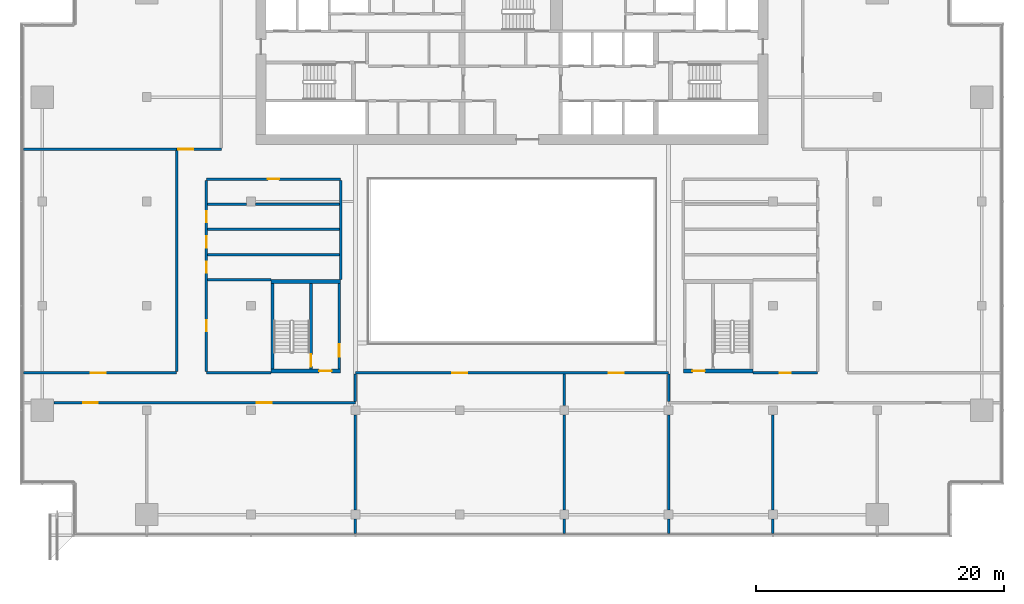
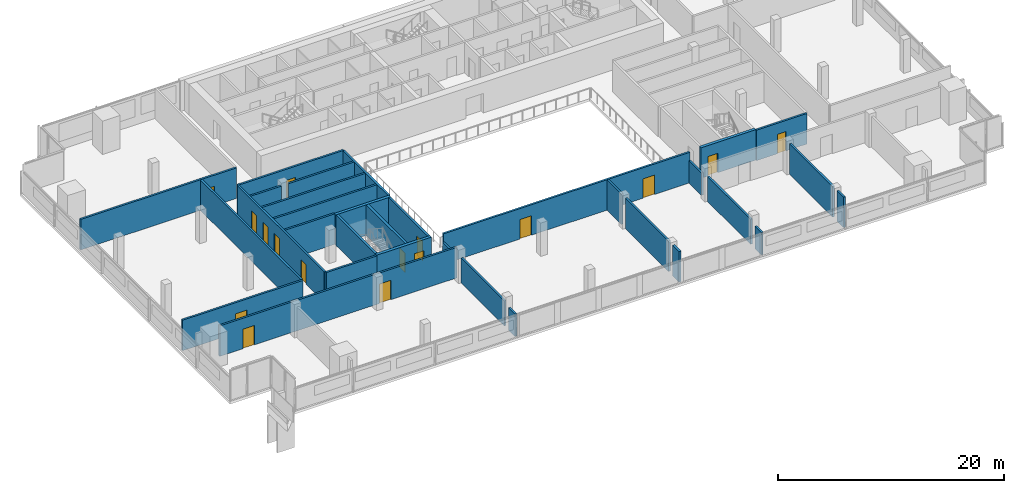
# One storey, part 17 of 24: 33 walls, 16 doors, 16 openings.
"""IFC4 building model written with IfcOpenShell, lengths in metres."""

import ifcopenshell
import ifcopenshell.guid

model = None  # the IFC model being written
_history = None  # IfcOwnerHistory: only IFC2X3 demands one
_inside = {}  # id of a spatial element -> (the spatial element, [elements in it])
_under = {}  # id of a project, library or spatial element -> (it, [spatial elements below it])
_declared = {}  # id of a project -> (the project, [libraries it declares])
_typed = {}  # id of a type object -> (the type object, [elements of that type])
_made_of = {}  # id of a material, layer set ... -> (it, [elements and type objects made of it])


def new_model(schema):
    """Start an empty IFC model of exactly this schema.

    Asked for "IFC4X3", IfcOpenShell would pick the latest addendum, in which some entities
    have other attributes; the version numbers below select the first issue.
    IFC2X3 requires an IfcOwnerHistory on every rooted entity: one is made here for all.
    """
    global model, _history
    if schema == "IFC4X3":
        model = ifcopenshell.file(schema_version=(4, 3, 0, 0))
    else:
        model = ifcopenshell.file(schema=schema)
    _inside.clear()
    _under.clear()
    _declared.clear()
    _typed.clear()
    _made_of.clear()
    _history = None
    if model.schema == "IFC2X3":
        org = make("IfcOrganization", Name="unknown")
        user = make(
            "IfcPersonAndOrganization",
            ThePerson=make("IfcPerson", FamilyName="unknown"),
            TheOrganization=org,
        )
        app = make(
            "IfcApplication",
            ApplicationDeveloper=org,
            Version="unknown",
            ApplicationFullName="unknown",
            ApplicationIdentifier="unknown",
        )
        _history = make(
            "IfcOwnerHistory",
            OwningUser=user,
            OwningApplication=app,
            ChangeAction="ADDED",
            CreationDate=0,
        )
    return model


def make(cls, **values):
    """One entity of the class cls with the attributes given. An attribute that is None is left unset."""
    return model.create_entity(
        cls, **{name: value for name, value in values.items() if value is not None}
    )


def rooted(cls, **values):
    """An entity with a GlobalId (a new one), such as an element, a storey or a relation."""
    return make(cls, GlobalId=ifcopenshell.guid.new(), OwnerHistory=_history, **values)


def si_unit(unit_type, name, prefix=None):
    """IfcSIUnit, for example si_unit("LENGTHUNIT", "METRE", prefix="MILLI")."""
    return make("IfcSIUnit", UnitType=unit_type, Prefix=prefix, Name=name)


def assignment(units):
    """IfcUnitAssignment: the units of a project."""
    return None if units is None else make("IfcUnitAssignment", Units=units)


def point(xyz):
    """IfcCartesianPoint."""
    return None if xyz is None else make("IfcCartesianPoint", Coordinates=xyz)


def direction(xyz):
    """IfcDirection."""
    return None if xyz is None else make("IfcDirection", DirectionRatios=xyz)


def frame(location, z_axis=None, x_axis=None):
    """IfcAxis2Placement3D, a coordinate frame: its origin and axes. An axis left out is left unset."""
    return make(
        "IfcAxis2Placement3D",
        Location=point(location),
        Axis=direction(z_axis),
        RefDirection=direction(x_axis),
    )


def frame_2d(location, x_axis=None):
    """IfcAxis2Placement2D, a coordinate frame in the plane: its origin and x axis."""
    return make(
        "IfcAxis2Placement2D", Location=point(location), RefDirection=direction(x_axis)
    )


def origin():
    """The frame at (0, 0, 0) with its axes left unset."""
    return frame((0.0, 0.0, 0.0))


def place(relative_to, where):
    """IfcLocalPlacement: puts the frame where relative to a parent placement (None: the world)."""
    return make(
        "IfcLocalPlacement", PlacementRelTo=relative_to, RelativePlacement=where
    )


def context(
    kind, dimensions, precision=None, world=None, true_north=None, identifier=None
):
    """IfcGeometricRepresentationContext, for example the 3D "Model" context."""
    return make(
        "IfcGeometricRepresentationContext",
        ContextIdentifier=identifier,
        ContextType=kind,
        CoordinateSpaceDimension=dimensions,
        Precision=precision,
        WorldCoordinateSystem=world,
        TrueNorth=true_north,
    )


def subcontext(parent, identifier, kind, view, scale=None):
    """IfcGeometricRepresentationSubContext, for example "Body" below "Model"."""
    return make(
        "IfcGeometricRepresentationSubContext",
        ContextIdentifier=identifier,
        ContextType=kind,
        ParentContext=parent,
        TargetScale=scale,
        TargetView=view,
    )


def project(units=None, contexts=None):
    """IfcProject with its units and contexts."""
    return rooted(
        "IfcProject",
        Name="project",
        RepresentationContexts=contexts,
        UnitsInContext=assignment(units),
    )


def spatial(cls, under=None, at=None, **own):
    """A site, building, storey or space (cls), placed at a placement, below another one or the project."""
    s = rooted(cls, ObjectPlacement=at, **own)
    if under is not None:
        _under.setdefault(under.id(), (under, []))[1].append(s)
    return s


def profile(cls, at=None, kind="AREA", **sizes):
    """A parametric profile (cls). Its sizes go by their IFC names, for example OverallWidth=200.0."""
    return make(cls, ProfileType=kind, Position=at, **sizes)


def rectangle(**sizes):
    """IfcRectangleProfileDef."""
    return profile("IfcRectangleProfileDef", **sizes)


def extrude(swept, where, along, depth):
    """IfcExtrudedAreaSolid: the profile swept, set in the frame where, extruded along a direction by depth."""
    return make(
        "IfcExtrudedAreaSolid",
        SweptArea=swept,
        Position=where,
        ExtrudedDirection=direction(along),
        Depth=depth,
    )


def shape(context_of_items, identifier, shape_type, items):
    """IfcShapeRepresentation: the items that make up one representation, for example the "Body"."""
    return make(
        "IfcShapeRepresentation",
        ContextOfItems=context_of_items,
        RepresentationIdentifier=identifier,
        RepresentationType=shape_type,
        Items=items,
    )


def material(Name=None, Category=None):
    """IfcMaterial."""
    return make("IfcMaterial", Name=Name, Category=Category)


def layer(
    of_material, thickness, ventilated=None, Name=None, Category=None, Priority=None
):
    """IfcMaterialLayer: one layer of a wall or slab, of a material (None: an air gap)."""
    return make(
        "IfcMaterialLayer",
        Material=of_material,
        LayerThickness=thickness,
        IsVentilated=ventilated,
        Name=Name,
        Category=Category,
        Priority=Priority,
    )


def layer_set(layers, Name=None):
    """IfcMaterialLayerSet."""
    return make("IfcMaterialLayerSet", MaterialLayers=layers, LayerSetName=Name)


def made_of(thing, what):
    """Note that an element or type object is made of a material, layer set ...; save() writes the relation."""
    if what is not None:
        _made_of.setdefault(what.id(), (what, []))[1].append(thing)
    return thing


def type_object(cls, material=None, **own):
    """A type object (cls), such as IfcWallType, which elements share."""
    return made_of(rooted(cls, **own), material)


def element(
    cls,
    number,
    at=None,
    inside=None,
    cuts=None,
    type_object=None,
    material=None,
    context=None,
    identifier="Body",
    shape_type=None,
    held_by="IfcProductDefinitionShape",
    body=None,
    shapes=None,
    **own,
):
    """One element of the class cls, such as IfcWall. Its Tag is "e" and its number.

    at: its placement. inside: the storey or other place that contains it. cuts: it is an
    opening in that element (IfcRelVoidsElement). A single representation is given by context,
    identifier, shape_type and body (its items); several are given by shapes. held_by: the class
    of the entity that holds the representations. save() writes the other relations.
    """
    e = rooted(cls, Tag="e%d" % number, ObjectPlacement=at, **own)
    if body is not None:
        shapes = [shape(context, identifier, shape_type, body)]
    if shapes is not None:
        e.Representation = make(held_by, Representations=shapes)
    if inside is not None:
        _inside.setdefault(inside.id(), (inside, []))[1].append(e)
    if cuts is not None:
        rooted(
            "IfcRelVoidsElement", RelatingBuildingElement=cuts, RelatedOpeningElement=e
        )
    if type_object is not None:
        _typed.setdefault(type_object.id(), (type_object, []))[1].append(e)
    return made_of(e, material)


def fill(opening, filler):
    """IfcRelFillsElement: the door or window that sits in an opening."""
    return rooted(
        "IfcRelFillsElement",
        RelatingOpeningElement=opening,
        RelatedBuildingElement=filler,
    )


def aggregate(whole, parts):
    """IfcRelAggregates: a whole, such as a stair, and the parts it consists of."""
    return rooted("IfcRelAggregates", RelatingObject=whole, RelatedObjects=parts)


def save(model, path):
    """Write the relations noted so far, then the file.

    IfcRelAggregates (storeys below a building ...), IfcRelContainedInSpatialStructure (elements
    in a storey), IfcRelDefinesByType, IfcRelAssociatesMaterial and IfcRelDeclares: one each for
    every whole, place, type object, material and project.
    """
    for whole, parts in _under.values():
        aggregate(whole, parts)
    for where, things in _inside.values():
        rooted(
            "IfcRelContainedInSpatialStructure",
            RelatedElements=things,
            RelatingStructure=where,
        )
    for kind, things in _typed.values():
        rooted("IfcRelDefinesByType", RelatedObjects=things, RelatingType=kind)
    for what, things in _made_of.values():
        rooted("IfcRelAssociatesMaterial", RelatedObjects=things, RelatingMaterial=what)
    for by, libraries in _declared.values():
        rooted("IfcRelDeclares", RelatingContext=by, RelatedDefinitions=libraries)
    model.write(path)


model = new_model("IFC4")

# Units and contexts
model_context = context("Model", 3, precision=1e-05, world=origin(), true_north=direction((0.0, 1.0)))
body_context = subcontext(model_context, "Body", "Model", "MODEL_VIEW")
ifc_project = project(units=[si_unit("LENGTHUNIT", "METRE"), si_unit("AREAUNIT", "SQUARE_METRE"), si_unit("VOLUMEUNIT", "CUBIC_METRE"), si_unit("PLANEANGLEUNIT", "RADIAN"), si_unit("MASSUNIT", "GRAM", prefix="KILO")], contexts=[model_context])

# Site, building, storey
site_placement = place(None, origin())
site = spatial("IfcSite", under=ifc_project, at=site_placement, CompositionType="ELEMENT")
building_placement = place(site_placement, origin())
building = spatial("IfcBuilding", under=site, at=building_placement, Name="Saffron Gate Tower", CompositionType="ELEMENT")
storey_placement = place(building_placement, frame((0.0, 0.0, 190.64990234375)))
storey = spatial("IfcBuildingStorey", under=building, at=storey_placement, Name="L47", CompositionType="ELEMENT", Elevation=190.64990234375)

# Wall, opening, door
ifc_material_1 = material(Name="Gypsum board partition on steel studs", Category="steel")
ifc_layer_1 = layer(ifc_material_1, 0.199951171875)
ifc_layer_set_1 = layer_set([ifc_layer_1], Name="CW10 Core partition 200")
wall_type_1 = type_object("IfcWallType", Name="CW10 Core partition 200", PredefinedType="PARTITIONING", material=ifc_layer_set_1)
wall_1_placement = place(storey_placement, frame((73.699951171875, 43.5, 0.0), z_axis=(0.0, 0.0, 1.0), x_axis=(0.0, 1.0, 0.0)))
wall_1 = element("IfcWall", 1, at=wall_1_placement, inside=storey, type_object=wall_type_1, Name="Wall CW10-L47-D-4", PredefinedType="PARTITIONING", context=body_context, shape_type="SweptSolid", body=[
    extrude(rectangle(XDim=6.89990234375, YDim=0.199951171875, at=frame_2d((3.449951171875, 0.0))), origin(), (0.0, 0.0, 1.0), 3.300048828125),
])
opening_1_placement = place(wall_1_placement, frame((1.0, 0.0, 0.0)))
opening_1 = element("IfcOpeningElement", 2, at=opening_1_placement, cuts=wall_1, Name="Opening CR-19", PredefinedType="OPENING", context=body_context, shape_type="SweptSolid", body=[
    extrude(rectangle(XDim=1.0, YDim=2.10009765625, at=frame_2d((0.5, 1.050048828125))), frame((0.0, 0.10986328125, 0.0), z_axis=(0.0, -1.0, 0.0), x_axis=(1.0, 0.0, 0.0)), (0.0, 0.0, 1.0), 0.219970703125),
])
ifc_material_2 = material(Name="Steel fire door set", Category="steel")
door_type_1 = type_object("IfcDoorType", Name="CD4 Lobby door 1000x2100 EI 120", OperationType="NOTDEFINED", PredefinedType="DOOR", material=ifc_material_2)
door_1_placement = place(opening_1_placement, origin())
door_1 = element("IfcDoor", 3, at=door_1_placement, inside=storey, type_object=door_type_1, Name="DOOR CR-19", OperationType="SINGLE_SWING_RIGHT", OverallHeight=2.10009765625, OverallWidth=1.0, PredefinedType="DOOR", context=body_context, shape_type="SweptSolid", body=[
    extrude(rectangle(XDim=1.0, YDim=2.10009765625, at=frame_2d((0.5, 1.050048828125))), frame((0.0, 0.02490234375, 0.0), z_axis=(0.0, -1.0, 0.0), x_axis=(1.0, 0.0, 0.0)), (0.0, 0.0, 1.0), 0.050048828125),
])
fill(opening_1, door_1)

# Wall
ifc_material_3 = material(Name="Concrete C60", Category="concrete")
ifc_layer_2 = layer(ifc_material_3, 0.25)
ifc_layer_set_2 = layer_set([ifc_layer_2], Name="CW14 RC core wall 250 C60")
wall_type_2 = type_object("IfcWallType", Name="CW14 RC core wall 250 C60", PredefinedType="SOLIDWALL", material=ifc_layer_set_2)
wall_2_placement = place(storey_placement, frame((68.324951171875, 43.5, 0.0), z_axis=(0.0, 0.0, 1.0), x_axis=(0.0, 1.0, 0.0)))
element("IfcWall", 4, at=wall_2_placement, inside=storey, type_object=wall_type_2, Name="Wall CW14-L47-D-2", PredefinedType="SOLIDWALL", context=body_context, shape_type="SweptSolid", body=[
    extrude(rectangle(XDim=6.89990234375, YDim=0.25, at=frame_2d((3.449951171875, 0.0))), origin(), (0.0, 0.0, 1.0), 3.300048828125),
])

# Wall, opening, door
wall_3_placement = place(storey_placement, frame((71.425048828125, 43.5, 0.0), z_axis=(0.0, 0.0, 1.0), x_axis=(0.0, 1.0, 0.0)))
wall_3 = element("IfcWall", 5, at=wall_3_placement, inside=storey, type_object=wall_type_2, Name="Wall CW14-L47-D-3", PredefinedType="SOLIDWALL", context=body_context, shape_type="SweptSolid", body=[
    extrude(rectangle(XDim=6.89990234375, YDim=0.25, at=frame_2d((3.449951171875, 0.0))), origin(), (0.0, 0.0, 1.0), 3.300048828125),
])
opening_2_placement = place(wall_3_placement, frame((0.199951171875, 0.0, 0.0)))
opening_2 = element("IfcOpeningElement", 6, at=opening_2_placement, cuts=wall_3, Name="Opening CR-20", PredefinedType="OPENING", context=body_context, shape_type="SweptSolid", body=[
    extrude(rectangle(XDim=1.0, YDim=2.10009765625, at=frame_2d((0.5, 1.050048828125))), frame((0.0, 0.135009765625, 0.0), z_axis=(0.0, -1.0, 0.0), x_axis=(1.0, 0.0, 0.0)), (0.0, 0.0, 1.0), 0.27001953125),
])
door_type_2 = type_object("IfcDoorType", Name="CD5 Stair door 1000x2100 EI 120", OperationType="NOTDEFINED", PredefinedType="DOOR", material=ifc_material_2)
door_2_placement = place(opening_2_placement, origin())
door_2 = element("IfcDoor", 7, at=door_2_placement, inside=storey, type_object=door_type_2, Name="DOOR CR-20", OperationType="SINGLE_SWING_LEFT", OverallHeight=2.10009765625, OverallWidth=1.0, PredefinedType="DOOR", context=body_context, shape_type="SweptSolid", body=[
    extrude(rectangle(XDim=1.0, YDim=2.10009765625, at=frame_2d((0.5, 1.050048828125))), frame((0.0, 0.02490234375, 0.0), z_axis=(0.0, -1.0, 0.0), x_axis=(1.0, 0.0, 0.0)), (0.0, 0.0, 1.0), 0.050048828125),
])
fill(opening_2, door_2)

ifc_layer_3 = layer(ifc_material_3, 0.300048828125)
ifc_layer_set_3 = layer_set([ifc_layer_3], Name="CW17 RC core wall 300 C60")
wall_type_3 = type_object("IfcWallType", Name="CW17 RC core wall 300 C60", PredefinedType="SOLIDWALL", material=ifc_layer_set_3)
wall_4_placement = place(storey_placement, frame((68.199951171875, 43.35009765625, 0.0), z_axis=(0.0, 0.0, 1.0), x_axis=(1.0, 0.0, 0.0)))
wall_4 = element("IfcWall", 8, at=wall_4_placement, inside=storey, type_object=wall_type_3, Name="Wall CW17-L47-D-1", PredefinedType="SOLIDWALL", context=body_context, shape_type="SweptSolid", body=[
    extrude(rectangle(XDim=5.60009765625, YDim=0.300048828125, at=frame_2d((2.800048828125, 0.0))), origin(), (0.0, 0.0, 1.0), 3.300048828125),
])
opening_3_placement = place(wall_4_placement, frame((3.875, 0.0, 0.0)))
opening_3 = element("IfcOpeningElement", 9, at=opening_3_placement, cuts=wall_4, Name="Opening CR-18", PredefinedType="OPENING", context=body_context, shape_type="SweptSolid", body=[
    extrude(rectangle(XDim=1.0, YDim=2.10009765625, at=frame_2d((0.5, 1.050048828125))), frame((0.0, 0.16015625, 0.0), z_axis=(0.0, -1.0, 0.0), x_axis=(1.0, 0.0, 0.0)), (0.0, 0.0, 1.0), 0.320068359375),
])
door_3_placement = place(opening_3_placement, origin())
door_3 = element("IfcDoor", 10, at=door_3_placement, inside=storey, type_object=door_type_1, Name="DOOR CR-18", OperationType="SINGLE_SWING_RIGHT", OverallHeight=2.10009765625, OverallWidth=1.0, PredefinedType="DOOR", context=body_context, shape_type="SweptSolid", body=[
    extrude(rectangle(XDim=1.0, YDim=2.10009765625, at=frame_2d((0.5, 1.050048828125))), frame((0.0, 0.02490234375, 0.0), z_axis=(0.0, -1.0, 0.0), x_axis=(1.0, 0.0, 0.0)), (0.0, 0.0, 1.0), 0.050048828125),
])
fill(opening_3, door_3)

# Wall
wall_5_placement = place(storey_placement, frame((68.199951171875, 50.550048828125, 0.0), z_axis=(0.0, 0.0, 1.0), x_axis=(1.0, 0.0, 0.0)))
element("IfcWall", 11, at=wall_5_placement, inside=storey, type_object=wall_type_3, Name="Wall CW17-L47-D-5", PredefinedType="SOLIDWALL", context=body_context, shape_type="SweptSolid", body=[
    extrude(rectangle(XDim=5.60009765625, YDim=0.300048828125, at=frame_2d((2.800048828125, 0.0))), origin(), (0.0, 0.0, 1.0), 3.300048828125),
])

# Wall, opening, door
wall_6_placement = place(storey_placement, frame((101.39990234375, 43.35009765625, 0.0), z_axis=(0.0, 0.0, 1.0), x_axis=(1.0, 0.0, 0.0)))
wall_6 = element("IfcWall", 12, at=wall_6_placement, inside=storey, type_object=wall_type_3, Name="Wall CW17-L47-E-1", PredefinedType="SOLIDWALL", context=body_context, shape_type="SweptSolid", body=[
    extrude(rectangle(XDim=5.60009765625, YDim=0.300048828125, at=frame_2d((2.800048828125, 0.0))), origin(), (0.0, 0.0, 1.0), 3.300048828125),
])
opening_4_placement = place(wall_6_placement, frame((0.72509765625, 0.0, 0.0)))
opening_4 = element("IfcOpeningElement", 13, at=opening_4_placement, cuts=wall_6, Name="Opening CR-21", PredefinedType="OPENING", context=body_context, shape_type="SweptSolid", body=[
    extrude(rectangle(XDim=1.0, YDim=2.10009765625, at=frame_2d((0.5, 1.050048828125))), frame((0.0, 0.16015625, 0.0), z_axis=(0.0, -1.0, 0.0), x_axis=(1.0, 0.0, 0.0)), (0.0, 0.0, 1.0), 0.320068359375),
])
door_4_placement = place(opening_4_placement, origin())
door_4 = element("IfcDoor", 14, at=door_4_placement, inside=storey, type_object=door_type_1, Name="DOOR CR-21", OperationType="SINGLE_SWING_RIGHT", OverallHeight=2.10009765625, OverallWidth=1.0, PredefinedType="DOOR", context=body_context, shape_type="SweptSolid", body=[
    extrude(rectangle(XDim=1.0, YDim=2.10009765625, at=frame_2d((0.5, 1.050048828125))), frame((0.0, 0.02490234375, 0.0), z_axis=(0.0, -1.0, 0.0), x_axis=(1.0, 0.0, 0.0)), (0.0, 0.0, 1.0), 0.050048828125),
])
fill(opening_4, door_4)

# Walls
ifc_material_4 = material(Name="Clay brick masonry, rendered", Category="masonry")
ifc_layer_4 = layer(ifc_material_4, 0.199951171875)
ifc_layer_set_4 = layer_set([ifc_layer_4], Name="PW2 Demising wall 200")
wall_type_4 = type_object("IfcWallType", Name="PW2 Demising wall 200", PredefinedType="PARTITIONING", material=ifc_layer_set_4)
wall_7_placement = place(storey_placement, frame((63.10009765625, 50.699951171875, 0.0), z_axis=(0.0, 0.0, 1.0), x_axis=(1.0, 0.0, 0.0)))
element("IfcWall", 15, at=wall_7_placement, inside=storey, type_object=wall_type_4, Name="Wall C5-10", PredefinedType="PARTITIONING", context=body_context, shape_type="SweptSolid", body=[
    extrude(rectangle(XDim=5.099853515625, YDim=0.199951171875, at=frame_2d((2.5498046875, 0.0))), origin(), (0.0, 0.0, 1.0), 3.300048828125),
])
for number, where, z_axis, x_axis, name in (
    (16, (63.10009765625, 52.72509765625, 0.0), (0.0, 0.0, 1.0), (1.0, 0.0, 0.0), "Wall C5-12"),
    (17, (63.10009765625, 54.75, 0.0), (0.0, 0.0, 1.0), (1.0, 0.0, 0.0), "Wall C5-14"),
):
    element("IfcWall", number, at=place(storey_placement, frame(where, z_axis=z_axis, x_axis=x_axis)), inside=storey, type_object=wall_type_4, Name=name, PredefinedType="PARTITIONING", context=body_context, shape_type="SweptSolid", body=[
        extrude(rectangle(XDim=10.599853515625, YDim=0.199951171875, at=frame_2d((5.2998046875, 0.0))), origin(), (0.0, 0.0, 1.0), 3.300048828125),
    ])
wall_8_placement = place(storey_placement, frame((63.10009765625, 56.77490234375, 0.0), z_axis=(0.0, 0.0, 1.0), x_axis=(1.0, 0.0, 0.0)))
element("IfcWall", 18, at=wall_8_placement, inside=storey, type_object=wall_type_4, Name="Wall C5-16", PredefinedType="PARTITIONING", context=body_context, shape_type="SweptSolid", body=[
    extrude(rectangle(XDim=3.1298828125, YDim=0.199951171875, at=frame_2d((1.56494140625, 0.0))), origin(), (0.0, 0.0, 1.0), 3.300048828125),
])
wall_9_placement = place(storey_placement, frame((66.969970703125, 56.77490234375, 0.0), z_axis=(0.0, 0.0, 1.0), x_axis=(1.0, 0.0, 0.0)))
element("IfcWall", 19, at=wall_9_placement, inside=storey, type_object=wall_type_4, Name="Wall C5-17", PredefinedType="PARTITIONING", context=body_context, shape_type="SweptSolid", body=[
    extrude(rectangle(XDim=6.72998046875, YDim=0.199951171875, at=frame_2d((3.364990234375, 0.0))), origin(), (0.0, 0.0, 1.0), 3.300048828125),
])

# Wall, openings, doors
ifc_layer_5 = layer(ifc_material_4, 0.199951171875)
ifc_layer_set_5 = layer_set([ifc_layer_5], Name="PW3 Corridor wall 200")
wall_type_5 = type_object("IfcWallType", Name="PW3 Corridor wall 200", PredefinedType="PARTITIONING", material=ifc_layer_set_5)
wall_10_placement = place(storey_placement, frame((75.0, 40.800048828125, 0.0), z_axis=(0.0, 0.0, 1.0), x_axis=(-1.0, 0.0, 0.0)))
wall_10 = element("IfcWall", 20, at=wall_10_placement, inside=storey, type_object=wall_type_5, Name="Wall C5-2", PredefinedType="PARTITIONING", context=body_context, shape_type="SweptSolid", body=[
    extrude(rectangle(XDim=24.280029296875, YDim=0.199951171875, at=frame_2d((12.14013671875, 0.0))), origin(), (0.0, 0.0, 1.0), 3.300048828125),
])
opening_5_placement = place(wall_10_placement, frame((6.75, 0.0, 0.0)))
opening_5 = element("IfcOpeningElement", 21, at=opening_5_placement, cuts=wall_10, Name="Opening C5-19", PredefinedType="OPENING", context=body_context, shape_type="SweptSolid", body=[
    extrude(rectangle(XDim=1.199951171875, YDim=2.10009765625, at=frame_2d((0.60009765625, 1.050048828125))), frame((0.0, 0.10986328125, 0.0), z_axis=(0.0, -1.0, 0.0), x_axis=(1.0, 0.0, 0.0)), (0.0, 0.0, 1.0), 0.219970703125),
])
opening_6_placement = place(wall_10_placement, frame((20.72802734375, 0.0, 0.0)))
opening_6 = element("IfcOpeningElement", 22, at=opening_6_placement, cuts=wall_10, Name="Opening C5-18", PredefinedType="OPENING", context=body_context, shape_type="SweptSolid", body=[
    extrude(rectangle(XDim=1.199951171875, YDim=2.10009765625, at=frame_2d((0.60009765625, 1.050048828125))), frame((0.0, 0.10986328125, 0.0), z_axis=(0.0, -1.0, 0.0), x_axis=(1.0, 0.0, 0.0)), (0.0, 0.0, 1.0), 0.219970703125),
])
ifc_material_5 = material(Name="Timber door set", Category="wood")
door_type_3 = type_object("IfcDoorType", Name="HD1 Hall door 1200x2100", OperationType="NOTDEFINED", PredefinedType="DOOR", material=ifc_material_5)
door_5_placement = place(opening_5_placement, origin())
door_5 = element("IfcDoor", 23, at=door_5_placement, inside=storey, type_object=door_type_3, Name="Door C5-19", OperationType="SINGLE_SWING_LEFT", OverallHeight=2.10009765625, OverallWidth=1.199951171875, PredefinedType="DOOR", context=body_context, shape_type="SweptSolid", body=[
    extrude(rectangle(XDim=1.199951171875, YDim=2.10009765625, at=frame_2d((0.60009765625, 1.050048828125))), frame((0.0, 0.02490234375, 0.0), z_axis=(0.0, -1.0, 0.0), x_axis=(1.0, 0.0, 0.0)), (0.0, 0.0, 1.0), 0.050048828125),
])
fill(opening_5, door_5)
door_6_placement = place(opening_6_placement, origin())
door_6 = element("IfcDoor", 24, at=door_6_placement, inside=storey, type_object=door_type_3, Name="Door C5-18", OperationType="SINGLE_SWING_RIGHT", OverallHeight=2.10009765625, OverallWidth=1.199951171875, PredefinedType="DOOR", context=body_context, shape_type="SweptSolid", body=[
    extrude(rectangle(XDim=1.199951171875, YDim=2.10009765625, at=frame_2d((0.60009765625, 1.050048828125))), frame((0.0, 0.02490234375, 0.0), z_axis=(0.0, -1.0, 0.0), x_axis=(1.0, 0.0, 0.0)), (0.0, 0.0, 1.0), 0.050048828125),
])
fill(opening_6, door_6)

# Wall, opening, door
wall_11_placement = place(storey_placement, frame((48.280029296875, 43.199951171875, 0.0), z_axis=(0.0, 0.0, 1.0), x_axis=(1.0, 0.0, 0.0)))
wall_11 = element("IfcWall", 25, at=wall_11_placement, inside=storey, type_object=wall_type_5, Name="Wall C5-5", PredefinedType="PARTITIONING", context=body_context, shape_type="SweptSolid", body=[
    extrude(rectangle(XDim=12.320068359375, YDim=0.199951171875, at=frame_2d((6.16015625, 0.0))), origin(), (0.0, 0.0, 1.0), 3.300048828125),
])
opening_7_placement = place(wall_11_placement, frame((5.419921875, 0.0, 0.0)))
opening_7 = element("IfcOpeningElement", 26, at=opening_7_placement, cuts=wall_11, Name="Opening C5-20", PredefinedType="OPENING", context=body_context, shape_type="SweptSolid", body=[
    extrude(rectangle(XDim=1.199951171875, YDim=2.10009765625, at=frame_2d((0.60009765625, 1.050048828125))), frame((0.0, 0.10986328125, 0.0), z_axis=(0.0, -1.0, 0.0), x_axis=(1.0, 0.0, 0.0)), (0.0, 0.0, 1.0), 0.219970703125),
])
door_7_placement = place(opening_7_placement, origin())
door_7 = element("IfcDoor", 27, at=door_7_placement, inside=storey, type_object=door_type_3, Name="Door C5-20", OperationType="SINGLE_SWING_LEFT", OverallHeight=2.10009765625, OverallWidth=1.199951171875, PredefinedType="DOOR", context=body_context, shape_type="SweptSolid", body=[
    extrude(rectangle(XDim=1.199951171875, YDim=2.10009765625, at=frame_2d((0.60009765625, 1.050048828125))), frame((0.0, 0.02490234375, 0.0), z_axis=(0.0, -1.0, 0.0), x_axis=(1.0, 0.0, 0.0)), (0.0, 0.0, 1.0), 0.050048828125),
])
fill(opening_7, door_7)

# Wall
wall_12_placement = place(storey_placement, frame((63.0, 43.199951171875, 0.0), z_axis=(0.0, 0.0, 1.0), x_axis=(1.0, 0.0, 0.0)))
element("IfcWall", 28, at=wall_12_placement, inside=storey, type_object=wall_type_5, Name="Wall C5-6", PredefinedType="PARTITIONING", context=body_context, shape_type="SweptSolid", body=[
    extrude(rectangle(XDim=5.199951171875, YDim=0.199951171875, at=frame_2d((2.60009765625, 0.0))), origin(), (0.0, 0.0, 1.0), 3.300048828125),
])

# Wall, openings, doors
wall_13_placement = place(storey_placement, frame((100.199951171875, 43.199951171875, 0.0), z_axis=(0.0, 0.0, 1.0), x_axis=(-1.0, 0.0, 0.0)))
wall_13 = element("IfcWall", 29, at=wall_13_placement, inside=storey, type_object=wall_type_5, Name="Wall C5-7", PredefinedType="PARTITIONING", context=body_context, shape_type="SweptSolid", body=[
    extrude(rectangle(XDim=25.199951171875, YDim=0.199951171875, at=frame_2d((12.60009765625, 0.0))), origin(), (0.0, 0.0, 1.0), 3.300048828125),
])
opening_8_placement = place(wall_13_placement, frame((3.60009765625, 0.0, 0.0)))
opening_8 = element("IfcOpeningElement", 30, at=opening_8_placement, cuts=wall_13, Name="Opening C5-17", PredefinedType="OPENING", context=body_context, shape_type="SweptSolid", body=[
    extrude(rectangle(XDim=1.199951171875, YDim=2.10009765625, at=frame_2d((0.60009765625, 1.050048828125))), frame((0.0, 0.10986328125, 0.0), z_axis=(0.0, -1.0, 0.0), x_axis=(1.0, 0.0, 0.0)), (0.0, 0.0, 1.0), 0.219970703125),
])
opening_9_placement = place(wall_13_placement, frame((16.199951171875, 0.0, 0.0)))
opening_9 = element("IfcOpeningElement", 31, at=opening_9_placement, cuts=wall_13, Name="Opening C5-16", PredefinedType="OPENING", context=body_context, shape_type="SweptSolid", body=[
    extrude(rectangle(XDim=1.199951171875, YDim=2.10009765625, at=frame_2d((0.60009765625, 1.050048828125))), frame((0.0, 0.10986328125, 0.0), z_axis=(0.0, -1.0, 0.0), x_axis=(1.0, 0.0, 0.0)), (0.0, 0.0, 1.0), 0.219970703125),
])
door_8_placement = place(opening_8_placement, origin())
door_8 = element("IfcDoor", 32, at=door_8_placement, inside=storey, type_object=door_type_3, Name="Door C5-17", OperationType="SINGLE_SWING_RIGHT", OverallHeight=2.10009765625, OverallWidth=1.199951171875, PredefinedType="DOOR", context=body_context, shape_type="SweptSolid", body=[
    extrude(rectangle(XDim=1.199951171875, YDim=2.10009765625, at=frame_2d((0.60009765625, 1.050048828125))), frame((0.0, 0.02490234375, 0.0), z_axis=(0.0, -1.0, 0.0), x_axis=(1.0, 0.0, 0.0)), (0.0, 0.0, 1.0), 0.050048828125),
])
fill(opening_8, door_8)
door_9_placement = place(opening_9_placement, origin())
door_9 = element("IfcDoor", 33, at=door_9_placement, inside=storey, type_object=door_type_3, Name="Door C5-16", OperationType="SINGLE_SWING_LEFT", OverallHeight=2.10009765625, OverallWidth=1.199951171875, PredefinedType="DOOR", context=body_context, shape_type="SweptSolid", body=[
    extrude(rectangle(XDim=1.199951171875, YDim=2.10009765625, at=frame_2d((0.60009765625, 1.050048828125))), frame((0.0, 0.02490234375, 0.0), z_axis=(0.0, -1.0, 0.0), x_axis=(1.0, 0.0, 0.0)), (0.0, 0.0, 1.0), 0.050048828125),
])
fill(opening_9, door_9)

# Wall, opening, door
wall_14_placement = place(storey_placement, frame((107.0, 43.199951171875, 0.0), z_axis=(0.0, 0.0, 1.0), x_axis=(1.0, 0.0, 0.0)))
wall_14 = element("IfcWall", 34, at=wall_14_placement, inside=storey, type_object=wall_type_5, Name="Wall C5-8", PredefinedType="PARTITIONING", context=body_context, shape_type="SweptSolid", body=[
    extrude(rectangle(XDim=5.199951171875, YDim=0.199951171875, at=frame_2d((2.60009765625, 0.0))), origin(), (0.0, 0.0, 1.0), 3.300048828125),
])
opening_10_placement = place(wall_14_placement, frame((2.14990234375, 0.0, 0.0)))
opening_10 = element("IfcOpeningElement", 35, at=opening_10_placement, cuts=wall_14, Name="Opening C5-9", PredefinedType="OPENING", context=body_context, shape_type="SweptSolid", body=[
    extrude(rectangle(XDim=0.89990234375, YDim=2.10009765625, at=frame_2d((0.449951171875, 1.050048828125))), frame((0.0, 0.10986328125, 0.0), z_axis=(0.0, -1.0, 0.0), x_axis=(1.0, 0.0, 0.0)), (0.0, 0.0, 1.0), 0.219970703125),
])
door_type_4 = type_object("IfcDoorType", Name="SD1 Service door 900x2100", OperationType="NOTDEFINED", PredefinedType="DOOR", material=ifc_material_2)
door_10_placement = place(opening_10_placement, origin())
door_10 = element("IfcDoor", 36, at=door_10_placement, inside=storey, type_object=door_type_4, Name="Door C5-9", OperationType="SINGLE_SWING_LEFT", OverallHeight=2.10009765625, OverallWidth=0.89990234375, PredefinedType="DOOR", context=body_context, shape_type="SweptSolid", body=[
    extrude(rectangle(XDim=0.89990234375, YDim=2.10009765625, at=frame_2d((0.449951171875, 1.050048828125))), frame((0.0, 0.02490234375, 0.0), z_axis=(0.0, -1.0, 0.0), x_axis=(1.0, 0.0, 0.0)), (0.0, 0.0, 1.0), 0.050048828125),
])
fill(opening_10, door_10)

wall_15_placement = place(storey_placement, frame((73.800048828125, 58.800048828125, 0.0), z_axis=(0.0, 0.0, 1.0), x_axis=(-1.0, 0.0, 0.0)))
wall_15 = element("IfcWall", 37, at=wall_15_placement, inside=storey, type_object=wall_type_5, Name="Wall C5-20", PredefinedType="PARTITIONING", context=body_context, shape_type="SweptSolid", body=[
    extrude(rectangle(XDim=10.800048828125, YDim=0.199951171875, at=frame_2d((5.39990234375, 0.0))), origin(), (0.0, 0.0, 1.0), 3.300048828125),
])
opening_11_placement = place(wall_15_placement, frame((4.949951171875, 0.0, 0.0)))
opening_11 = element("IfcOpeningElement", 38, at=opening_11_placement, cuts=wall_15, Name="Opening C5-8", PredefinedType="OPENING", context=body_context, shape_type="SweptSolid", body=[
    extrude(rectangle(XDim=0.89990234375, YDim=2.10009765625, at=frame_2d((0.449951171875, 1.050048828125))), frame((0.0, 0.10986328125, 0.0), z_axis=(0.0, -1.0, 0.0), x_axis=(1.0, 0.0, 0.0)), (0.0, 0.0, 1.0), 0.219970703125),
])
door_type_5 = type_object("IfcDoorType", Name="RD1 Room door 900x2100", OperationType="NOTDEFINED", PredefinedType="DOOR", material=ifc_material_5)
door_11_placement = place(opening_11_placement, origin())
door_11 = element("IfcDoor", 39, at=door_11_placement, inside=storey, type_object=door_type_5, Name="Door C5-8", OperationType="SINGLE_SWING_RIGHT", OverallHeight=2.10009765625, OverallWidth=0.89990234375, PredefinedType="DOOR", context=body_context, shape_type="SweptSolid", body=[
    extrude(rectangle(XDim=0.89990234375, YDim=2.10009765625, at=frame_2d((0.449951171875, 1.050048828125))), frame((0.0, 0.02490234375, 0.0), z_axis=(0.0, -1.0, 0.0), x_axis=(1.0, 0.0, 0.0)), (0.0, 0.0, 1.0), 0.050048828125),
])
fill(opening_11, door_11)

wall_16_placement = place(storey_placement, frame((60.60009765625, 61.199951171875, 0.0), z_axis=(0.0, 0.0, 1.0), x_axis=(1.0, 0.0, 0.0)))
wall_16 = element("IfcWall", 40, at=wall_16_placement, inside=storey, type_object=wall_type_5, Name="Wall C5-22", PredefinedType="PARTITIONING", context=body_context, shape_type="SweptSolid", body=[
    extrude(rectangle(XDim=3.599853515625, YDim=0.199951171875, at=frame_2d((1.7998046875, 0.0))), origin(), (0.0, 0.0, 1.0), 3.300048828125),
])
opening_12_placement = place(wall_16_placement, frame((0.14990234375, 0.0, 0.0)))
opening_12 = element("IfcOpeningElement", 41, at=opening_12_placement, cuts=wall_16, Name="Opening C5-21", PredefinedType="OPENING", context=body_context, shape_type="SweptSolid", body=[
    extrude(rectangle(XDim=1.199951171875, YDim=2.10009765625, at=frame_2d((0.60009765625, 1.050048828125))), frame((0.0, 0.10986328125, 0.0), z_axis=(0.0, -1.0, 0.0), x_axis=(1.0, 0.0, 0.0)), (0.0, 0.0, 1.0), 0.219970703125),
])
door_12_placement = place(opening_12_placement, origin())
door_12 = element("IfcDoor", 42, at=door_12_placement, inside=storey, type_object=door_type_3, Name="Door C5-21", OperationType="SINGLE_SWING_LEFT", OverallHeight=2.10009765625, OverallWidth=1.199951171875, PredefinedType="DOOR", context=body_context, shape_type="SweptSolid", body=[
    extrude(rectangle(XDim=1.199951171875, YDim=2.10009765625, at=frame_2d((0.60009765625, 1.050048828125))), frame((0.0, 0.02490234375, 0.0), z_axis=(0.0, -1.0, 0.0), x_axis=(1.0, 0.0, 0.0)), (0.0, 0.0, 1.0), 0.050048828125),
])
fill(opening_12, door_12)

# Wall
wall_17_placement = place(storey_placement, frame((60.60009765625, 61.10009765625, 0.0), z_axis=(0.0, 0.0, 1.0), x_axis=(0.0, -1.0, 0.0)))
element("IfcWall", 43, at=wall_17_placement, inside=storey, type_object=wall_type_5, Name="Wall C5-28", PredefinedType="PARTITIONING", context=body_context, shape_type="SweptSolid", body=[
    extrude(rectangle(XDim=17.800048828125, YDim=0.199951171875, at=frame_2d((8.89990234375, 0.0))), origin(), (0.0, 0.0, 1.0), 3.300048828125),
])

# Wall, openings, doors
wall_18_placement = place(storey_placement, frame((63.0, 58.699951171875, 0.0), z_axis=(0.0, 0.0, 1.0), x_axis=(0.0, -1.0, 0.0)))
wall_18 = element("IfcWall", 44, at=wall_18_placement, inside=storey, type_object=wall_type_5, Name="Wall C5-29", PredefinedType="PARTITIONING", context=body_context, shape_type="SweptSolid", body=[
    extrude(rectangle(XDim=15.39990234375, YDim=0.199951171875, at=frame_2d((7.699951171875, 0.0))), origin(), (0.0, 0.0, 1.0), 3.300048828125),
])
opening_13_placement = place(wall_18_placement, frame((2.487548828125, 0.0, 0.0)))
opening_13 = element("IfcOpeningElement", 45, at=opening_13_placement, cuts=wall_18, Name="Opening C5-7", PredefinedType="OPENING", context=body_context, shape_type="SweptSolid", body=[
    extrude(rectangle(XDim=0.89990234375, YDim=2.10009765625, at=frame_2d((0.449951171875, 1.050048828125))), frame((0.0, 0.10986328125, 0.0), z_axis=(0.0, -1.0, 0.0), x_axis=(1.0, 0.0, 0.0)), (0.0, 0.0, 1.0), 0.219970703125),
])
opening_14_placement = place(wall_18_placement, frame((4.512451171875, 0.0, 0.0)))
opening_14 = element("IfcOpeningElement", 46, at=opening_14_placement, cuts=wall_18, Name="Opening C5-6", PredefinedType="OPENING", context=body_context, shape_type="SweptSolid", body=[
    extrude(rectangle(XDim=0.89990234375, YDim=2.10009765625, at=frame_2d((0.449951171875, 1.050048828125))), frame((0.0, 0.10986328125, 0.0), z_axis=(0.0, -1.0, 0.0), x_axis=(1.0, 0.0, 0.0)), (0.0, 0.0, 1.0), 0.219970703125),
])
opening_15_placement = place(wall_18_placement, frame((6.53759765625, 0.0, 0.0)))
opening_15 = element("IfcOpeningElement", 47, at=opening_15_placement, cuts=wall_18, Name="Opening C5-5", PredefinedType="OPENING", context=body_context, shape_type="SweptSolid", body=[
    extrude(rectangle(XDim=0.89990234375, YDim=2.10009765625, at=frame_2d((0.449951171875, 1.050048828125))), frame((0.0, 0.10986328125, 0.0), z_axis=(0.0, -1.0, 0.0), x_axis=(1.0, 0.0, 0.0)), (0.0, 0.0, 1.0), 0.219970703125),
])
opening_16_placement = place(wall_18_placement, frame((11.25, 0.0, 0.0)))
opening_16 = element("IfcOpeningElement", 48, at=opening_16_placement, cuts=wall_18, Name="Opening C5-10", PredefinedType="OPENING", context=body_context, shape_type="SweptSolid", body=[
    extrude(rectangle(XDim=0.89990234375, YDim=2.10009765625, at=frame_2d((0.449951171875, 1.050048828125))), frame((0.0, 0.10986328125, 0.0), z_axis=(0.0, -1.0, 0.0), x_axis=(1.0, 0.0, 0.0)), (0.0, 0.0, 1.0), 0.219970703125),
])
door_13_placement = place(opening_13_placement, origin())
door_13 = element("IfcDoor", 49, at=door_13_placement, inside=storey, type_object=door_type_5, Name="Door C5-7", OperationType="SINGLE_SWING_RIGHT", OverallHeight=2.10009765625, OverallWidth=0.89990234375, PredefinedType="DOOR", context=body_context, shape_type="SweptSolid", body=[
    extrude(rectangle(XDim=0.89990234375, YDim=2.10009765625, at=frame_2d((0.449951171875, 1.050048828125))), frame((0.0, 0.02490234375, 0.0), z_axis=(0.0, -1.0, 0.0), x_axis=(1.0, 0.0, 0.0)), (0.0, 0.0, 1.0), 0.050048828125),
])
fill(opening_13, door_13)
door_14_placement = place(opening_14_placement, origin())
door_14 = element("IfcDoor", 50, at=door_14_placement, inside=storey, type_object=door_type_5, Name="Door C5-6", OperationType="SINGLE_SWING_RIGHT", OverallHeight=2.10009765625, OverallWidth=0.89990234375, PredefinedType="DOOR", context=body_context, shape_type="SweptSolid", body=[
    extrude(rectangle(XDim=0.89990234375, YDim=2.10009765625, at=frame_2d((0.449951171875, 1.050048828125))), frame((0.0, 0.02490234375, 0.0), z_axis=(0.0, -1.0, 0.0), x_axis=(1.0, 0.0, 0.0)), (0.0, 0.0, 1.0), 0.050048828125),
])
fill(opening_14, door_14)
door_15_placement = place(opening_15_placement, origin())
door_15 = element("IfcDoor", 51, at=door_15_placement, inside=storey, type_object=door_type_5, Name="Door C5-5", OperationType="SINGLE_SWING_RIGHT", OverallHeight=2.10009765625, OverallWidth=0.89990234375, PredefinedType="DOOR", context=body_context, shape_type="SweptSolid", body=[
    extrude(rectangle(XDim=0.89990234375, YDim=2.10009765625, at=frame_2d((0.449951171875, 1.050048828125))), frame((0.0, 0.02490234375, 0.0), z_axis=(0.0, -1.0, 0.0), x_axis=(1.0, 0.0, 0.0)), (0.0, 0.0, 1.0), 0.050048828125),
])
fill(opening_15, door_15)
door_16_placement = place(opening_16_placement, origin())
door_16 = element("IfcDoor", 52, at=door_16_placement, inside=storey, type_object=door_type_4, Name="Door C5-10", OperationType="SINGLE_SWING_RIGHT", OverallHeight=2.10009765625, OverallWidth=0.89990234375, PredefinedType="DOOR", context=body_context, shape_type="SweptSolid", body=[
    extrude(rectangle(XDim=0.89990234375, YDim=2.10009765625, at=frame_2d((0.449951171875, 1.050048828125))), frame((0.0, 0.02490234375, 0.0), z_axis=(0.0, -1.0, 0.0), x_axis=(1.0, 0.0, 0.0)), (0.0, 0.0, 1.0), 0.050048828125),
])
fill(opening_16, door_16)

# Walls
wall_19_placement = place(storey_placement, frame((73.800048828125, 58.699951171875, 0.0), z_axis=(0.0, 0.0, 1.0), x_axis=(0.0, -1.0, 0.0)))
element("IfcWall", 53, at=wall_19_placement, inside=storey, type_object=wall_type_5, Name="Wall C5-31", PredefinedType="PARTITIONING", context=body_context, shape_type="SweptSolid", body=[
    extrude(rectangle(XDim=8.0, YDim=0.199951171875, at=frame_2d((4.0, 0.0))), origin(), (0.0, 0.0, 1.0), 3.300048828125),
])
for number, where, z_axis, x_axis, name in (
    (54, (75.0, 43.10009765625, 0.0), (0.0, 0.0, 1.0), (0.0, -1.0, 0.0), "Wall C5-32"),
    (55, (100.199951171875, 43.10009765625, 0.0), (0.0, 0.0, 1.0), (0.0, -1.0, 0.0), "Wall C5-38"),
):
    element("IfcWall", number, at=place(storey_placement, frame(where, z_axis=z_axis, x_axis=x_axis)), inside=storey, type_object=wall_type_5, Name=name, PredefinedType="PARTITIONING", context=body_context, shape_type="SweptSolid", body=[
        extrude(rectangle(XDim=2.2001953125, YDim=0.199951171875, at=frame_2d((1.10009765625, 0.0))), origin(), (0.0, 0.0, 1.0), 2.41015625),
    ])
ifc_layer_6 = layer(ifc_material_4, 0.199951171875)
ifc_layer_set_6 = layer_set([ifc_layer_6], Name="PW5 Room wall 200")
wall_type_6 = type_object("IfcWallType", Name="PW5 Room wall 200", PredefinedType="PARTITIONING", material=ifc_layer_set_6)
wall_20_placement = place(storey_placement, frame((48.280029296875, 61.199951171875, 0.0), z_axis=(0.0, 0.0, 1.0), x_axis=(1.0, 0.0, 0.0)))
element("IfcWall", 56, at=wall_20_placement, inside=storey, type_object=wall_type_6, Name="Wall C5-24", PredefinedType="PARTITIONING", context=body_context, shape_type="SweptSolid", body=[
    extrude(rectangle(XDim=12.320068359375, YDim=0.199951171875, at=frame_2d((6.16015625, 0.0))), origin(), (0.0, 0.0, 1.0), 3.300048828125),
])
wall_21_placement = place(storey_placement, frame((75.0, 31.429931640625, 0.0), z_axis=(0.0, 0.0, 1.0), x_axis=(0.0, -1.0, 0.0)))
element("IfcWall", 57, at=wall_21_placement, inside=storey, type_object=wall_type_6, Name="Wall C5-33", PredefinedType="PARTITIONING", context=body_context, shape_type="SweptSolid", body=[
    extrude(rectangle(XDim=1.14990234375, YDim=0.199951171875, at=frame_2d((0.574951171875, 0.0))), origin(), (0.0, 0.0, 1.0), 2.41015625),
])
wall_22_placement = place(storey_placement, frame((75.0, 39.830078125, 0.0), z_axis=(0.0, 0.0, 1.0), x_axis=(0.0, -1.0, 0.0)))
element("IfcWall", 58, at=wall_22_placement, inside=storey, type_object=wall_type_6, Name="Wall C5-34", PredefinedType="PARTITIONING", context=body_context, shape_type="SweptSolid", body=[
    extrude(rectangle(XDim=7.66015625, YDim=0.199951171875, at=frame_2d((3.830078125, 0.0))), origin(), (0.0, 0.0, 1.0), 2.7001953125),
])
wall_23_placement = place(storey_placement, frame((91.800048828125, 31.429931640625, 0.0), z_axis=(0.0, 0.0, 1.0), x_axis=(0.0, -1.0, 0.0)))
element("IfcWall", 59, at=wall_23_placement, inside=storey, type_object=wall_type_6, Name="Wall C5-35", PredefinedType="PARTITIONING", context=body_context, shape_type="SweptSolid", body=[
    extrude(rectangle(XDim=1.14990234375, YDim=0.199951171875, at=frame_2d((0.574951171875, 0.0))), origin(), (0.0, 0.0, 1.0), 3.300048828125),
])
wall_24_placement = place(storey_placement, frame((91.800048828125, 39.830078125, 0.0), z_axis=(0.0, 0.0, 1.0), x_axis=(0.0, -1.0, 0.0)))
element("IfcWall", 60, at=wall_24_placement, inside=storey, type_object=wall_type_6, Name="Wall C5-36", PredefinedType="PARTITIONING", context=body_context, shape_type="SweptSolid", body=[
    extrude(rectangle(XDim=7.66015625, YDim=0.199951171875, at=frame_2d((3.830078125, 0.0))), origin(), (0.0, 0.0, 1.0), 3.300048828125),
])
wall_25_placement = place(storey_placement, frame((91.800048828125, 43.10009765625, 0.0), z_axis=(0.0, 0.0, 1.0), x_axis=(0.0, -1.0, 0.0)))
element("IfcWall", 61, at=wall_25_placement, inside=storey, type_object=wall_type_6, Name="Wall C5-37", PredefinedType="PARTITIONING", context=body_context, shape_type="SweptSolid", body=[
    extrude(rectangle(XDim=2.530029296875, YDim=0.199951171875, at=frame_2d((1.26513671875, 0.0))), origin(), (0.0, 0.0, 1.0), 3.300048828125),
])
wall_26_placement = place(storey_placement, frame((100.199951171875, 31.429931640625, 0.0), z_axis=(0.0, 0.0, 1.0), x_axis=(0.0, -1.0, 0.0)))
element("IfcWall", 62, at=wall_26_placement, inside=storey, type_object=wall_type_6, Name="Wall C5-39", PredefinedType="PARTITIONING", context=body_context, shape_type="SweptSolid", body=[
    extrude(rectangle(XDim=1.14990234375, YDim=0.199951171875, at=frame_2d((0.574951171875, 0.0))), origin(), (0.0, 0.0, 1.0), 2.41015625),
])
wall_27_placement = place(storey_placement, frame((100.199951171875, 39.830078125, 0.0), z_axis=(0.0, 0.0, 1.0), x_axis=(0.0, -1.0, 0.0)))
element("IfcWall", 63, at=wall_27_placement, inside=storey, type_object=wall_type_6, Name="Wall C5-40", PredefinedType="PARTITIONING", context=body_context, shape_type="SweptSolid", body=[
    extrude(rectangle(XDim=7.66015625, YDim=0.199951171875, at=frame_2d((3.830078125, 0.0))), origin(), (0.0, 0.0, 1.0), 2.7001953125),
])
wall_28_placement = place(storey_placement, frame((108.60009765625, 31.429931640625, 0.0), z_axis=(0.0, 0.0, 1.0), x_axis=(0.0, -1.0, 0.0)))
element("IfcWall", 64, at=wall_28_placement, inside=storey, type_object=wall_type_6, Name="Wall C5-42", PredefinedType="PARTITIONING", context=body_context, shape_type="SweptSolid", body=[
    extrude(rectangle(XDim=1.14990234375, YDim=0.199951171875, at=frame_2d((0.574951171875, 0.0))), origin(), (0.0, 0.0, 1.0), 3.300048828125),
])
wall_29_placement = place(storey_placement, frame((108.60009765625, 39.830078125, 0.0), z_axis=(0.0, 0.0, 1.0), x_axis=(0.0, -1.0, 0.0)))
element("IfcWall", 65, at=wall_29_placement, inside=storey, type_object=wall_type_6, Name="Wall C5-43", PredefinedType="PARTITIONING", context=body_context, shape_type="SweptSolid", body=[
    extrude(rectangle(XDim=7.66015625, YDim=0.199951171875, at=frame_2d((3.830078125, 0.0))), origin(), (0.0, 0.0, 1.0), 3.300048828125),
])

save(model, "model.ifc")
